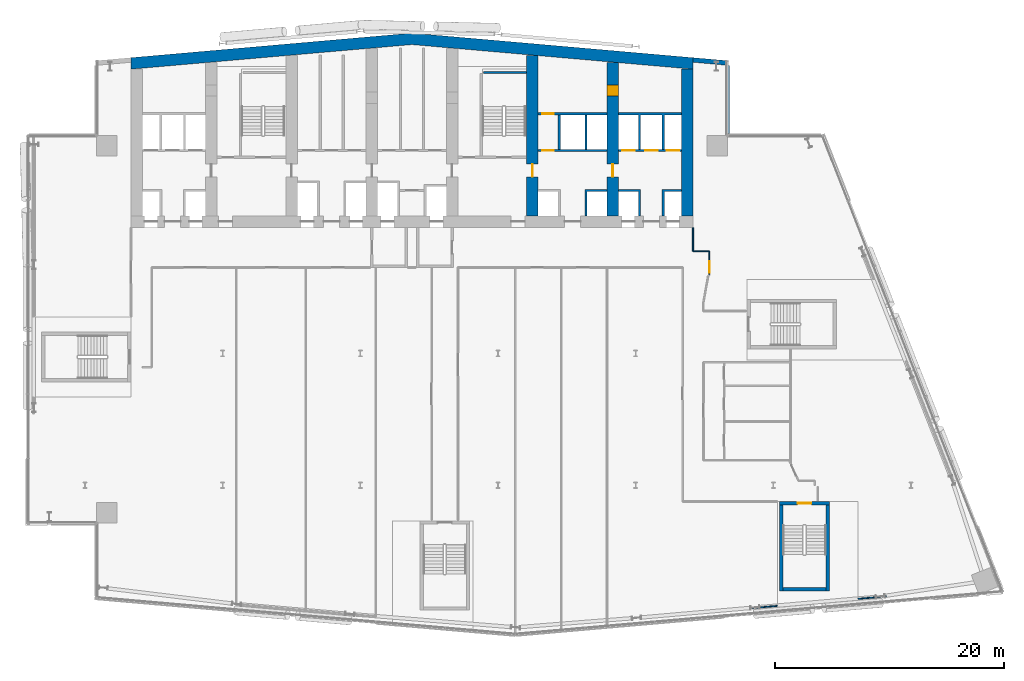
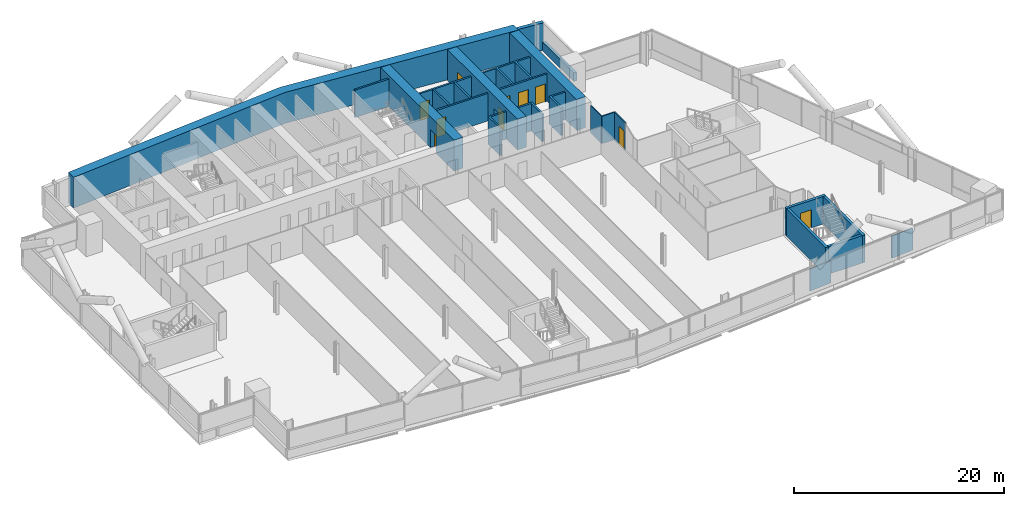
# One storey, part 17 of 25: 25 walls, 10 doors, 10 openings.
"""IFC4 building model written with IfcOpenShell, lengths in metres."""

from ifc_helpers import new_model, si_unit, direction, frame, frame_2d, origin, place, context, subcontext, project, spatial, polyline, rectangle, outline, extrude, material, layer, layer_set, type_object, element, fill, save


model = new_model("IFC4")

# Units and contexts
model_context = context("Model", 3, precision=1e-05, world=origin(), true_north=direction((0.0, 1.0)))
body_context = subcontext(model_context, "Body", "Model", "MODEL_VIEW")
ifc_project = project(units=[si_unit("LENGTHUNIT", "METRE"), si_unit("AREAUNIT", "SQUARE_METRE"), si_unit("VOLUMEUNIT", "CUBIC_METRE"), si_unit("PLANEANGLEUNIT", "RADIAN"), si_unit("MASSUNIT", "GRAM", prefix="KILO")], contexts=[model_context])

# Site, building, storey
site_placement = place(None, origin())
site = spatial("IfcSite", under=ifc_project, at=site_placement, CompositionType="ELEMENT")
building_placement = place(site_placement, origin())
building = spatial("IfcBuilding", under=site, at=building_placement, Name="Wharfspan Tower", CompositionType="ELEMENT")
storey_placement = place(building_placement, frame((0.0, 0.0, 129.100098)))
storey = spatial("IfcBuildingStorey", under=building, at=storey_placement, Name="L30", CompositionType="ELEMENT", Elevation=129.100098)

# Walls
ifc_material_1 = material(Name="Gypsum board on steel studs", Category="steel")
ifc_layer_1 = layer(ifc_material_1, 0.100098)
ifc_layer_set_1 = layer_set([ifc_layer_1], Name="Gypsum board on steel studs")
wall_type_1 = type_object("IfcWallType", Name="Compartment wall 100 EI 60", PredefinedType="PARTITIONING", material=ifc_layer_set_1)
wall_1_placement = place(storey_placement, frame((65.0, 31.925049, 0.0), z_axis=(0.0, 0.0, 1.0), x_axis=(0.0, 1.0, 0.0)))
element("IfcWall", 1, at=wall_1_placement, inside=storey, type_object=wall_type_1, Name="Partition L30.w020", PredefinedType="PARTITIONING", context=body_context, shape_type="SweptSolid", body=[
    extrude(rectangle(XDim=2.054932, YDim=0.100098, at=frame_2d((1.027344, 0.0))), origin(), (0.0, 0.0, 1.0), 3.199951),
])
wall_2_placement = place(storey_placement, frame((65.0, 31.925049, 0.0), z_axis=(0.0, 0.0, 1.0), x_axis=(1.0, 0.0, 0.0)))
element("IfcWall", 2, at=wall_2_placement, inside=storey, type_object=wall_type_1, Name="Partition L30.w021", PredefinedType="PARTITIONING", context=body_context, shape_type="SweptSolid", body=[
    extrude(rectangle(XDim=1.425049, YDim=0.100098, at=frame_2d((0.712402, 0.0))), origin(), (0.0, 0.0, 1.0), 3.199951),
])

# Wall, opening, door
wall_3_placement = place(storey_placement, frame((66.425049, 29.844971, 0.0), z_axis=(0.0, 0.0, 1.0), x_axis=(0.0, 1.0, 0.0)))
wall_3 = element("IfcWall", 3, at=wall_3_placement, inside=storey, type_object=wall_type_1, Name="Partition L30.w029", PredefinedType="PARTITIONING", context=body_context, shape_type="SweptSolid", body=[
    extrude(rectangle(XDim=2.080078, YDim=0.100098, at=frame_2d((1.040039, 0.0))), origin(), (0.0, 0.0, 1.0), 3.199951),
])
opening_1_placement = place(wall_3_placement, frame((0.180664, 0.0, 0.0)))
opening_1 = element("IfcOpeningElement", 4, at=opening_1_placement, cuts=wall_3, Name="Opening B4-15", PredefinedType="OPENING", context=body_context, shape_type="SweptSolid", body=[
    extrude(rectangle(XDim=1.0, YDim=2.100098, at=frame_2d((0.5, 1.050049))), frame((0.0, 0.060059, 0.0), z_axis=(0.0, -1.0, 0.0), x_axis=(1.0, 0.0, 0.0)), (0.0, 0.0, 1.0), 0.120117),
])
ifc_material_2 = material(Name="Fire-rated timber door leaf in steel frame", Category="steel")
door_type_1 = type_object("IfcDoorType", Name="Door 1000 FD30S Left", OperationType="SINGLE_SWING_LEFT", PredefinedType="DOOR", material=ifc_material_2)
door_1_placement = place(opening_1_placement, origin())
door_1 = element("IfcDoor", 5, at=door_1_placement, inside=storey, type_object=door_type_1, Name="Door B4-15", OperationType="SINGLE_SWING_LEFT", OverallHeight=2.100098, OverallWidth=1.0, PredefinedType="DOOR", context=body_context, shape_type="SweptSolid", body=[
    extrude(rectangle(XDim=1.0, YDim=2.100098, at=frame_2d((0.5, 1.050049))), frame((0.0, 0.024902, 0.0), z_axis=(0.0, -1.0, 0.0), x_axis=(1.0, 0.0, 0.0)), (0.0, 0.0, 1.0), 0.050049),
])
fill(opening_1, door_1)

# Wall
ifc_material_3 = material(Name="Concrete C70/85", Category="concrete")
ifc_layer_2 = layer(ifc_material_3, 1.0)
ifc_layer_set_2 = layer_set([ifc_layer_2], Name="Concrete C70/85")
wall_type_2 = type_object("IfcWallType", Name="Core wall 1000 C70/85", PredefinedType="SHEAR", material=ifc_layer_set_2)
wall_4_placement = place(storey_placement, frame((0.0, 0.0, -0.000244)))
element("IfcWall", 6, at=wall_4_placement, inside=storey, type_object=wall_type_2, Name="Core rear wall L30", PredefinedType="SHEAR", context=body_context, shape_type="SweptSolid", body=[
    extrude(outline(polyline([(16.0, 47.783691), (40.5, 49.927002), (65.0, 47.783691), (65.0, 48.787354), (40.5, 50.930908), (16.0, 48.787354), (16.0, 47.783691)])), origin(), (0.0, 0.0, 1.0), 3.600098),
])

# Wall, opening, door
wall_5_placement = place(storey_placement, frame((51.0, 35.0, 0.0), z_axis=(0.0, 0.0, 1.0), x_axis=(0.0, 1.0, 0.0)))
wall_5 = element("IfcWall", 7, at=wall_5_placement, inside=storey, type_object=wall_type_2, Name="Core cross wall X6 L30", PredefinedType="SHEAR", context=body_context, shape_type="SweptSolid", body=[
    extrude(rectangle(XDim=13.9646, YDim=1.0, at=frame_2d((6.982422, 0.0))), origin(), (0.0, 0.0, 1.0), 3.599854),
])
opening_2_placement = place(wall_5_placement, frame((3.399902, 0.0, 0.0)))
opening_2 = element("IfcOpeningElement", 8, at=opening_2_placement, cuts=wall_5, Name="Opening CC30.6", PredefinedType="OPENING", context=body_context, shape_type="SweptSolid", body=[
    extrude(rectangle(XDim=1.100098, YDim=2.100098, at=frame_2d((0.550049, 1.050049))), frame((0.0, 0.51001, 0.0), z_axis=(0.0, -1.0, 0.0), x_axis=(1.0, 0.0, 0.0)), (0.0, 0.0, 1.0), 1.02002),
])
ifc_material_4 = material(Name="Steel door leaf", Category="steel")
door_type_2 = type_object("IfcDoorType", Name="Core corridor door 1100x2100", OperationType="SINGLE_SWING_LEFT", PredefinedType="DOOR", material=ifc_material_4)
door_2_placement = place(opening_2_placement, origin())
door_2 = element("IfcDoor", 9, at=door_2_placement, inside=storey, type_object=door_type_2, Name="xd:L30:6", OperationType="SINGLE_SWING_RIGHT", OverallHeight=2.100098, OverallWidth=1.100098, PredefinedType="DOOR", context=body_context, shape_type="SweptSolid", body=[
    extrude(rectangle(XDim=1.100098, YDim=2.100098, at=frame_2d((0.550049, 1.050049))), frame((0.0, 0.024902, 0.0), z_axis=(0.0, -1.0, 0.0), x_axis=(1.0, 0.0, 0.0)), (0.0, 0.0, 1.0), 0.050049),
])
fill(opening_2, door_2)

# Wall, openings, doors
wall_6_placement = place(storey_placement, frame((58.0, 35.0, 0.0), z_axis=(0.0, 0.0, 1.0), x_axis=(0.0, 1.0, 0.0)))
wall_6 = element("IfcWall", 10, at=wall_6_placement, inside=storey, type_object=wall_type_2, Name="Core cross wall X7 L30", PredefinedType="SHEAR", context=body_context, shape_type="SweptSolid", body=[
    extrude(rectangle(XDim=13.352295, YDim=1.0, at=frame_2d((6.67627, 0.0))), origin(), (0.0, 0.0, 1.0), 3.599854),
])
opening_3_placement = place(wall_6_placement, frame((10.425537, 0.0, 0.0)))
opening_3 = element("IfcOpeningElement", 11, at=opening_3_placement, cuts=wall_6, Name="Opening CD30.7X", PredefinedType="OPENING", context=body_context, shape_type="SweptSolid", body=[
    extrude(rectangle(XDim=1.0, YDim=2.100098, at=frame_2d((0.5, 1.050049))), frame((0.0, 0.51001, 0.0), z_axis=(0.0, -1.0, 0.0), x_axis=(1.0, 0.0, 0.0)), (0.0, 0.0, 1.0), 1.02002),
])
opening_4_placement = place(wall_6_placement, frame((3.399902, 0.0, 0.0)))
opening_4 = element("IfcOpeningElement", 12, at=opening_4_placement, cuts=wall_6, Name="Opening CC30.7", PredefinedType="OPENING", context=body_context, shape_type="SweptSolid", body=[
    extrude(rectangle(XDim=1.100098, YDim=2.100098, at=frame_2d((0.550049, 1.050049))), frame((0.0, 0.51001, 0.0), z_axis=(0.0, -1.0, 0.0), x_axis=(1.0, 0.0, 0.0)), (0.0, 0.0, 1.0), 1.02002),
])
door_3_placement = place(opening_4_placement, origin())
door_3 = element("IfcDoor", 13, at=door_3_placement, inside=storey, type_object=door_type_2, Name="xd:L30:7", OperationType="SINGLE_SWING_LEFT", OverallHeight=2.100098, OverallWidth=1.100098, PredefinedType="DOOR", context=body_context, shape_type="SweptSolid", body=[
    extrude(rectangle(XDim=1.100098, YDim=2.100098, at=frame_2d((0.550049, 1.050049))), frame((0.0, 0.024902, 0.0), z_axis=(0.0, -1.0, 0.0), x_axis=(1.0, 0.0, 0.0)), (0.0, 0.0, 1.0), 0.050049),
])
fill(opening_4, door_3)
door_type_3 = type_object("IfcDoorType", Name="Core room door 1000x2100", OperationType="SINGLE_SWING_LEFT", PredefinedType="DOOR", material=ifc_material_4)
door_4_placement = place(opening_3_placement, origin())
door_4 = element("IfcDoor", 14, at=door_4_placement, inside=storey, type_object=door_type_3, Name="d:L30:7:sx", OperationType="SINGLE_SWING_LEFT", OverallHeight=2.100098, OverallWidth=1.0, PredefinedType="DOOR", context=body_context, shape_type="SweptSolid", body=[
    extrude(rectangle(XDim=1.0, YDim=2.100098, at=frame_2d((0.5, 1.050049))), frame((0.0, 0.499756, 0.0), z_axis=(0.0, -1.0, 0.0), x_axis=(1.0, 0.0, 0.0)), (0.0, 0.0, 1.0), 0.999512),
])
fill(opening_3, door_4)

# Wall
wall_7_placement = place(storey_placement, frame((64.5, 35.0, 0.0), z_axis=(0.0, 0.0, 1.0), x_axis=(0.0, 1.0, 0.0)))
element("IfcWall", 15, at=wall_7_placement, inside=storey, type_object=wall_type_2, Name="Core cross wall EW1 L30", PredefinedType="SHEAR", context=body_context, shape_type="SweptSolid", body=[
    extrude(rectangle(XDim=12.783691, YDim=1.0, at=frame_2d((6.391846, 0.0))), origin(), (0.0, 0.0, 1.0), 3.599854),
])

# Wall, opening, door
ifc_material_5 = material(Name="Concrete C30/37", Category="concrete")
ifc_layer_3 = layer(ifc_material_5, 0.199951)
ifc_layer_set_3 = layer_set([ifc_layer_3], Name="Concrete C30/37")
wall_type_3 = type_object("IfcWallType", Name="Lift shaft wall 200", PredefinedType="PARTITIONING", material=ifc_layer_set_3)
wall_8_placement = place(storey_placement, frame((51.5, 40.699951, 0.0), z_axis=(0.0, 0.0, 1.0), x_axis=(1.0, 0.0, 0.0)))
wall_8 = element("IfcWall", 16, at=wall_8_placement, inside=storey, type_object=wall_type_3, Name="sw:L30:RF6", PredefinedType="PARTITIONING", context=body_context, shape_type="SweptSolid", body=[
    extrude(rectangle(XDim=6.0, YDim=0.199951, at=frame_2d((3.0, 0.0))), origin(), (0.0, 0.0, 1.0), 3.199951),
])
opening_5_placement = place(wall_8_placement, frame((0.366699, 0.0, 0.0)))
opening_5 = element("IfcOpeningElement", 17, at=opening_5_placement, cuts=wall_8, Name="Opening CD30.6R1", PredefinedType="OPENING", context=body_context, shape_type="SweptSolid", body=[
    extrude(rectangle(XDim=1.0, YDim=2.100098, at=frame_2d((0.5, 1.050049))), frame((0.0, 0.109863, 0.0), z_axis=(0.0, -1.0, 0.0), x_axis=(1.0, 0.0, 0.0)), (0.0, 0.0, 1.0), 0.219971),
])
door_5_placement = place(opening_5_placement, origin())
door_5 = element("IfcDoor", 18, at=door_5_placement, inside=storey, type_object=door_type_3, Name="d:L30:6:rd6.1", OperationType="SINGLE_SWING_RIGHT", OverallHeight=2.100098, OverallWidth=1.0, PredefinedType="DOOR", context=body_context, shape_type="SweptSolid", body=[
    extrude(rectangle(XDim=1.0, YDim=2.100098, at=frame_2d((0.5, 1.050049))), frame((0.0, 0.024902, 0.0), z_axis=(0.0, -1.0, 0.0), x_axis=(1.0, 0.0, 0.0)), (0.0, 0.0, 1.0), 0.050049),
])
fill(opening_5, door_5)

wall_9_placement = place(storey_placement, frame((51.5, 43.899902, 0.0), z_axis=(0.0, 0.0, 1.0), x_axis=(1.0, 0.0, 0.0)))
wall_9 = element("IfcWall", 19, at=wall_9_placement, inside=storey, type_object=wall_type_3, Name="sw:L30:RR6", PredefinedType="PARTITIONING", context=body_context, shape_type="SweptSolid", body=[
    extrude(rectangle(XDim=6.0, YDim=0.199951, at=frame_2d((3.0, 0.0))), origin(), (0.0, 0.0, 1.0), 3.199951),
])
opening_6_placement = place(wall_9_placement, frame((0.366699, 0.0, 0.0)))
opening_6 = element("IfcOpeningElement", 20, at=opening_6_placement, cuts=wall_9, Name="Opening CD30.6S1", PredefinedType="OPENING", context=body_context, shape_type="SweptSolid", body=[
    extrude(rectangle(XDim=1.0, YDim=2.100098, at=frame_2d((0.5, 1.050049))), frame((0.0, 0.109863, 0.0), z_axis=(0.0, -1.0, 0.0), x_axis=(1.0, 0.0, 0.0)), (0.0, 0.0, 1.0), 0.219971),
])
door_6_placement = place(opening_6_placement, origin())
door_6 = element("IfcDoor", 21, at=door_6_placement, inside=storey, type_object=door_type_3, Name="d:L30:6:rs6.1", OperationType="SINGLE_SWING_LEFT", OverallHeight=2.100098, OverallWidth=1.0, PredefinedType="DOOR", context=body_context, shape_type="SweptSolid", body=[
    extrude(rectangle(XDim=1.0, YDim=2.100098, at=frame_2d((0.5, 1.050049))), frame((0.0, 0.024902, 0.0), z_axis=(0.0, -1.0, 0.0), x_axis=(1.0, 0.0, 0.0)), (0.0, 0.0, 1.0), 0.050049),
])
fill(opening_6, door_6)

# Walls
wall_10_placement = place(storey_placement, frame((0.0, 0.0, -0.000244)))
element("IfcWall", 22, at=wall_10_placement, inside=storey, type_object=wall_type_3, Name="sw:L30:FM6.1", PredefinedType="PARTITIONING", context=body_context, shape_type="SweptSolid", body=[
    extrude(outline(polyline([(55.56665, 37.300049), (55.766602, 37.300049), (57.5, 37.300049), (57.5, 37.100098), (55.766602, 37.100098), (55.766602, 35.0), (55.56665, 35.0), (55.56665, 37.300049)])), origin(), (0.0, 0.0, 1.0), 3.200195),
])
wall_11_placement = place(storey_placement, frame((0.0, 0.0, -0.000244)))
element("IfcWall", 23, at=wall_11_placement, inside=storey, type_object=wall_type_3, Name="sw:L30:RM6.0", PredefinedType="PARTITIONING", context=body_context, shape_type="SweptSolid", body=[
    extrude(outline(polyline([(53.233398, 40.800049), (53.233398, 43.800049), (53.43335, 43.800049), (53.43335, 40.800049), (53.233398, 40.800049)])), origin(), (0.0, 0.0, 1.0), 3.200195),
])
wall_12_placement = place(storey_placement, frame((0.0, 0.0, -0.000244)))
element("IfcWall", 24, at=wall_12_placement, inside=storey, type_object=wall_type_3, Name="sw:L30:RM6.1", PredefinedType="PARTITIONING", context=body_context, shape_type="SweptSolid", body=[
    extrude(outline(polyline([(55.56665, 40.800049), (55.56665, 43.800049), (55.766602, 43.800049), (55.766602, 40.800049), (55.56665, 40.800049)])), origin(), (0.0, 0.0, 1.0), 3.200195),
])

# Wall, openings, doors
wall_13_placement = place(storey_placement, frame((58.5, 40.699951, 0.0), z_axis=(0.0, 0.0, 1.0), x_axis=(1.0, 0.0, 0.0)))
wall_13 = element("IfcWall", 25, at=wall_13_placement, inside=storey, type_object=wall_type_3, Name="sw:L30:RF7", PredefinedType="PARTITIONING", context=body_context, shape_type="SweptSolid", body=[
    extrude(rectangle(XDim=5.5, YDim=0.199951, at=frame_2d((2.75, 0.0))), origin(), (0.0, 0.0, 1.0), 3.199951),
])
opening_7_placement = place(wall_13_placement, frame((0.31665, 0.0, 0.0)))
opening_7 = element("IfcOpeningElement", 26, at=opening_7_placement, cuts=wall_13, Name="Opening LD.LA8.L30", PredefinedType="OPENING", context=body_context, shape_type="SweptSolid", body=[
    extrude(rectangle(XDim=1.100098, YDim=2.100098, at=frame_2d((0.550049, 1.050049))), frame((0.0, 0.109863, 0.0), z_axis=(0.0, -1.0, 0.0), x_axis=(1.0, 0.0, 0.0)), (0.0, 0.0, 1.0), 0.219971),
])
opening_8_placement = place(wall_13_placement, frame((2.31665, 0.0, 0.0)))
opening_8 = element("IfcOpeningElement", 27, at=opening_8_placement, cuts=wall_13, Name="Opening LD.LA9.L30", PredefinedType="OPENING", context=body_context, shape_type="SweptSolid", body=[
    extrude(rectangle(XDim=1.100098, YDim=2.100098, at=frame_2d((0.550049, 1.050049))), frame((0.0, 0.109863, 0.0), z_axis=(0.0, -1.0, 0.0), x_axis=(1.0, 0.0, 0.0)), (0.0, 0.0, 1.0), 0.219971),
])
opening_9_placement = place(wall_13_placement, frame((4.199951, 0.0, 0.0)))
opening_9 = element("IfcOpeningElement", 28, at=opening_9_placement, cuts=wall_13, Name="Opening LD.LA10.L30", PredefinedType="OPENING", context=body_context, shape_type="SweptSolid", body=[
    extrude(rectangle(XDim=1.100098, YDim=2.100098, at=frame_2d((0.550049, 1.050049))), frame((0.0, 0.109863, 0.0), z_axis=(0.0, -1.0, 0.0), x_axis=(1.0, 0.0, 0.0)), (0.0, 0.0, 1.0), 0.219971),
])
ifc_material_6 = material(Name="Stainless steel", Category="steel")
door_type_4 = type_object("IfcDoorType", Name="Lift landing door 1100x2100", OperationType="DOUBLE_DOOR_SLIDING", PredefinedType="DOOR", material=ifc_material_6)
door_7_placement = place(opening_7_placement, origin())
door_7 = element("IfcDoor", 29, at=door_7_placement, inside=storey, type_object=door_type_4, Name="Landing door LA8 L30", OperationType="DOUBLE_DOOR_SLIDING", OverallHeight=2.100098, OverallWidth=1.100098, PredefinedType="DOOR", context=body_context, shape_type="SweptSolid", body=[
    extrude(rectangle(XDim=1.100098, YDim=2.100098, at=frame_2d((0.550049, 1.050049))), frame((0.0, 0.024902, 0.0), z_axis=(0.0, -1.0, 0.0), x_axis=(1.0, 0.0, 0.0)), (0.0, 0.0, 1.0), 0.050049),
])
fill(opening_7, door_7)
door_8_placement = place(opening_8_placement, origin())
door_8 = element("IfcDoor", 30, at=door_8_placement, inside=storey, type_object=door_type_4, Name="Landing door LA9 L30", OperationType="DOUBLE_DOOR_SLIDING", OverallHeight=2.100098, OverallWidth=1.100098, PredefinedType="DOOR", context=body_context, shape_type="SweptSolid", body=[
    extrude(rectangle(XDim=1.100098, YDim=2.100098, at=frame_2d((0.550049, 1.050049))), frame((0.0, 0.024902, 0.0), z_axis=(0.0, -1.0, 0.0), x_axis=(1.0, 0.0, 0.0)), (0.0, 0.0, 1.0), 0.050049),
])
fill(opening_8, door_8)
door_9_placement = place(opening_9_placement, origin())
door_9 = element("IfcDoor", 31, at=door_9_placement, inside=storey, type_object=door_type_4, Name="Landing door LA10 L30", OperationType="DOUBLE_DOOR_SLIDING", OverallHeight=2.100098, OverallWidth=1.100098, PredefinedType="DOOR", context=body_context, shape_type="SweptSolid", body=[
    extrude(rectangle(XDim=1.100098, YDim=2.100098, at=frame_2d((0.550049, 1.050049))), frame((0.0, 0.024902, 0.0), z_axis=(0.0, -1.0, 0.0), x_axis=(1.0, 0.0, 0.0)), (0.0, 0.0, 1.0), 0.050049),
])
fill(opening_9, door_9)

# Walls
wall_14_placement = place(storey_placement, frame((0.0, 0.0, -0.000244)))
element("IfcWall", 32, at=wall_14_placement, inside=storey, type_object=wall_type_3, Name="sw:L30:FM7.0", PredefinedType="PARTITIONING", context=body_context, shape_type="SweptSolid", body=[
    extrude(outline(polyline([(60.233398, 37.100098), (58.5, 37.100098), (58.5, 37.300049), (60.233398, 37.300049), (60.43335, 37.300049), (60.43335, 35.0), (60.233398, 35.0), (60.233398, 37.100098)])), origin(), (0.0, 0.0, 1.0), 3.200195),
])
wall_15_placement = place(storey_placement, frame((0.0, 0.0, -0.000244)))
element("IfcWall", 33, at=wall_15_placement, inside=storey, type_object=wall_type_3, Name="sw:L30:FM7.1", PredefinedType="PARTITIONING", context=body_context, shape_type="SweptSolid", body=[
    extrude(outline(polyline([(62.300049, 37.300049), (62.5, 37.300049), (64.0, 37.300049), (64.0, 37.100098), (62.5, 37.100098), (62.5, 35.0), (62.300049, 35.0), (62.300049, 37.300049)])), origin(), (0.0, 0.0, 1.0), 3.200195),
])
wall_16_placement = place(storey_placement, frame((0.0, 0.0, -0.000244)))
element("IfcWall", 34, at=wall_16_placement, inside=storey, type_object=wall_type_3, Name="sw:L30:RM7.0", PredefinedType="PARTITIONING", context=body_context, shape_type="SweptSolid", body=[
    extrude(outline(polyline([(60.43335, 40.800049), (60.233398, 40.800049), (60.233398, 43.800049), (58.5, 43.800049), (58.5, 44.0), (64.0, 44.0), (64.0, 43.800049), (62.5, 43.800049), (62.5, 40.800049), (62.300049, 40.800049), (62.300049, 43.800049), (60.43335, 43.800049), (60.43335, 40.800049)])), origin(), (0.0, 0.0, 1.0), 3.200195),
])
ifc_layer_4 = layer(ifc_material_1, 0.100098)
ifc_layer_set_4 = layer_set([ifc_layer_4], Name="Gypsum board on steel studs")
wall_type_4 = type_object("IfcWallType", Name="Partition 100", PredefinedType="PARTITIONING", material=ifc_layer_set_4)
wall_17_placement = place(storey_placement, frame((69.909912, 0.780029, 0.0), z_axis=(0.0, 0.0, 1.0), x_axis=(0.99619, 0.087259, 0.0)))
element("IfcWall", 35, at=wall_17_placement, inside=storey, type_object=wall_type_4, Name="Partition L30.w033", PredefinedType="PARTITIONING", context=body_context, shape_type="SweptSolid", body=[
    extrude(rectangle(XDim=2.445312, YDim=0.100098, at=frame_2d((1.222656, 0.0))), origin(), (0.0, 0.0, 1.0), 2.579834),
])
wall_18_placement = place(storey_placement, frame((79.385986, 1.606689, 0.0), z_axis=(0.0, 0.0, 1.0), x_axis=(0.996209, 0.086973, 0.0)))
element("IfcWall", 36, at=wall_18_placement, inside=storey, type_object=wall_type_4, Name="Partition L30.w040", PredefinedType="PARTITIONING", context=body_context, shape_type="SweptSolid", body=[
    extrude(rectangle(XDim=2.453369, YDim=0.100098, at=frame_2d((1.226562, 0.0))), origin(), (0.0, 0.0, 1.0), 2.579834),
])
ifc_material_7 = material(Name="Concrete C40/50", Category="concrete")
ifc_layer_5 = layer(ifc_material_7, 0.350098)
ifc_layer_set_5 = layer_set([ifc_layer_5], Name="Concrete C40/50")
wall_type_5 = type_object("IfcWallType", Name="SPANDREL EXPOSED CONCRETE 350", PredefinedType="SOLIDWALL", material=ifc_layer_set_5)
wall_19_placement = place(storey_placement, frame((68.004883, 42.179932, 0.0), z_axis=(0.0, 0.0, 1.0), x_axis=(0.0, 1.0, 0.0)))
element("IfcWall", 37, at=wall_19_placement, inside=storey, type_object=wall_type_5, Name="Spandrel upstand L30 NRE-V", PredefinedType="SOLIDWALL", context=body_context, shape_type="SweptSolid", body=[
    extrude(rectangle(XDim=5.946533, YDim=0.350098, at=frame_2d((2.973145, 0.0))), origin(), (0.0, 0.0, 1.0), 1.0),
])

# Wall, opening, door
ifc_layer_6 = layer(ifc_material_7, 0.300049)
ifc_layer_set_6 = layer_set([ifc_layer_6], Name="Concrete C40/50")
wall_type_6 = type_object("IfcWallType", Name="Stair core wall 300", PredefinedType="SHEAR", material=ifc_layer_set_6)
wall_20_placement = place(storey_placement, frame((72.541016, 9.94458, 0.0), z_axis=(0.0, 0.0, 1.0), x_axis=(1.0, 0.0, 0.0)))
wall_20 = element("IfcWall", 38, at=wall_20_placement, inside=storey, type_object=wall_type_6, Name="ST5 stair enclosure wall L30", PredefinedType="SHEAR", context=body_context, shape_type="SweptSolid", body=[
    extrude(rectangle(XDim=4.350098, YDim=0.300049, at=frame_2d((2.175049, 0.0))), origin(), (0.0, 0.0, 1.0), 3.199951),
])
opening_10_placement = place(wall_20_placement, frame((1.574951, 0.0, 0.0)))
opening_10 = element("IfcOpeningElement", 39, at=opening_10_placement, cuts=wall_20, Name="Opening SD5.L30", PredefinedType="OPENING", context=body_context, shape_type="SweptSolid", body=[
    extrude(rectangle(XDim=1.199951, YDim=2.100098, at=frame_2d((0.600098, 1.050049))), frame((0.0, 0.159912, 0.0), z_axis=(0.0, -1.0, 0.0), x_axis=(1.0, 0.0, 0.0)), (0.0, 0.0, 1.0), 0.320068),
])
door_type_5 = type_object("IfcDoorType", Name="Stair door 1200x2100", OperationType="SINGLE_SWING_LEFT", PredefinedType="DOOR", material=ifc_material_4)
door_10_placement = place(opening_10_placement, origin())
door_10 = element("IfcDoor", 40, at=door_10_placement, inside=storey, type_object=door_type_5, Name="sd:L30:ST5z2", OperationType="SINGLE_SWING_RIGHT", OverallHeight=2.100098, OverallWidth=1.199951, PredefinedType="DOOR", context=body_context, shape_type="SweptSolid", body=[
    extrude(rectangle(XDim=1.199951, YDim=2.100098, at=frame_2d((0.600098, 1.050049))), frame((0.0, 0.024902, 0.0), z_axis=(0.0, -1.0, 0.0), x_axis=(1.0, 0.0, 0.0)), (0.0, 0.0, 1.0), 0.050049),
])
fill(opening_10, door_10)

# Walls
for number, where, z_axis, x_axis, name in (
    (41, (72.690918, 2.294678, 0.0), (0.0, 0.0, 1.0), (0.0, 1.0, 0.0), "ST5 stair enclosure wall L30"),
    (42, (76.740967, 2.294678, 0.0), (0.0, 0.0, 1.0), (0.0, 1.0, 0.0), "ST5 stair enclosure wall L30"),
):
    element("IfcWall", number, at=place(storey_placement, frame(where, z_axis=z_axis, x_axis=x_axis)), inside=storey, type_object=wall_type_6, Name=name, PredefinedType="SHEAR", context=body_context, shape_type="SweptSolid", body=[
        extrude(rectangle(XDim=7.5, YDim=0.300049, at=frame_2d((3.75, 0.0))), origin(), (0.0, 0.0, 1.0), 3.199951),
    ])
wall_21_placement = place(storey_placement, frame((72.841064, 2.44458, 0.0), z_axis=(0.0, 0.0, 1.0), x_axis=(1.0, 0.0, 0.0)))
element("IfcWall", 43, at=wall_21_placement, inside=storey, type_object=wall_type_6, Name="ST5 stair enclosure wall L30", PredefinedType="SHEAR", context=body_context, shape_type="SweptSolid", body=[
    extrude(rectangle(XDim=3.75, YDim=0.300049, at=frame_2d((1.875, 0.0))), origin(), (0.0, 0.0, 1.0), 3.199951),
])
ifc_layer_7 = layer(ifc_material_7, 0.199951)
ifc_layer_set_7 = layer_set([ifc_layer_7], Name="Concrete C40/50")
wall_type_7 = type_object("IfcWallType", Name="Stair shaft wall 200", PredefinedType="SHEAR", material=ifc_layer_set_7)
wall_22_placement = place(storey_placement, frame((46.75, 47.5, 0.0), z_axis=(0.0, 0.0, 1.0), x_axis=(1.0, 0.0, 0.0)))
element("IfcWall", 44, at=wall_22_placement, inside=storey, type_object=wall_type_7, Name="ST2 stair enclosure wall L30", PredefinedType="SHEAR", context=body_context, shape_type="SweptSolid", body=[
    extrude(rectangle(XDim=3.75, YDim=0.199951, at=frame_2d((1.875, 0.0))), origin(), (0.0, 0.0, 1.0), 3.199951),
])
ifc_layer_8 = layer(ifc_material_7, 0.399902)
ifc_layer_set_8 = layer_set([ifc_layer_8], Name="Concrete C40/50")
wall_type_8 = type_object("IfcWallType", Name="WALL EXPOSED CONCRETE 400", PredefinedType="SOLIDWALL", material=ifc_layer_set_8)
wall_23_placement = place(storey_placement, frame((67.982666, 48.325684, 0.0), z_axis=(0.0, 0.0, 1.0), x_axis=(-0.996194, 0.087168, 0.0)))
element("IfcWall", 45, at=wall_23_placement, inside=storey, type_object=wall_type_8, Name="Rear wall N2", PredefinedType="SOLIDWALL", context=body_context, shape_type="SweptSolid", body=[
    extrude(rectangle(XDim=2.994141, YDim=0.399902, at=frame_2d((1.49707, 0.0))), origin(), (0.0, 0.0, 1.0), 3.199951),
])

save(model, "model.ifc")
